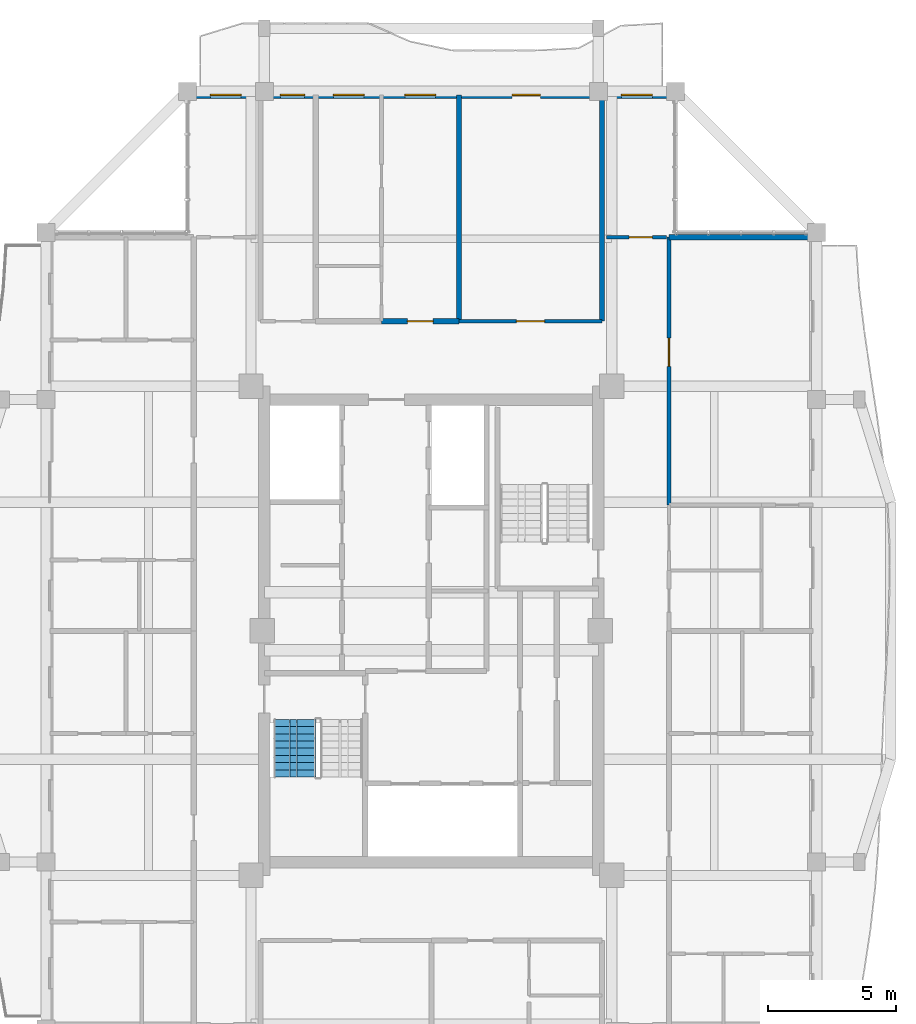
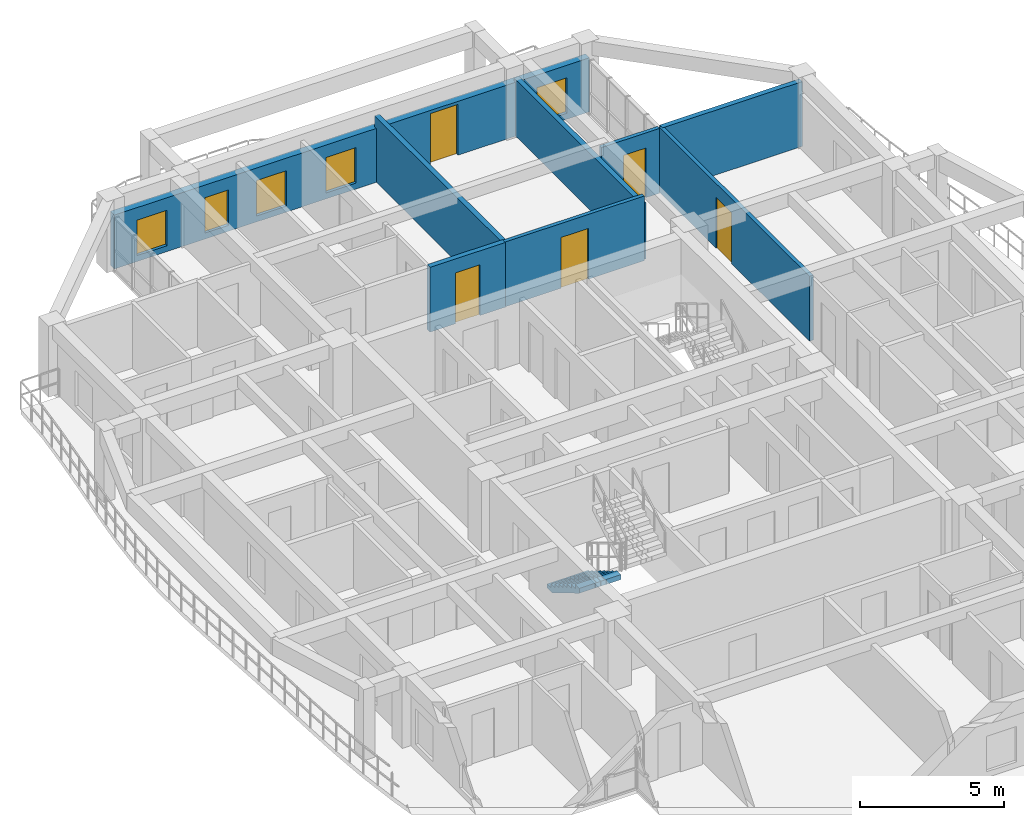
# One storey, part 18 of 24: 8 walls, 5 doors, 5 windows, 1 stair flight, 10 openings, 1 element without a shape of its own.
"""IFC4 building model written with IfcOpenShell, lengths in metres."""

from ifc_helpers import new_model, si_unit, direction, frame, frame_2d, origin, place, context, subcontext, project, spatial, polyline, rectangle, outline, extrude, source, transform, mapped, material, layer, layer_set, type_object, element, fill, aggregate, save


model = new_model("IFC4")

# Units and contexts
model_context = context("Model", 3, precision=1e-05, world=origin(), true_north=direction((0.0, 1.0)))
body_context = subcontext(model_context, "Body", "Model", "MODEL_VIEW")
ifc_project = project(units=[si_unit("LENGTHUNIT", "METRE"), si_unit("AREAUNIT", "SQUARE_METRE"), si_unit("VOLUMEUNIT", "CUBIC_METRE"), si_unit("PLANEANGLEUNIT", "RADIAN"), si_unit("MASSUNIT", "GRAM", prefix="KILO")], contexts=[model_context])

# Site, building, storey
site_placement = place(None, origin())
site = spatial("IfcSite", under=ifc_project, at=site_placement, CompositionType="ELEMENT")
building_placement = place(site_placement, origin())
building = spatial("IfcBuilding", under=site, at=building_placement, Name="Saelheon Loggia Tower", CompositionType="ELEMENT")
storey_placement = place(building_placement, frame((0.0, 0.0, 246.0)))
storey = spatial("IfcBuildingStorey", under=building, at=storey_placement, Name="L76", CompositionType="ELEMENT", Elevation=246.0)

# Wall, openings, windows, door
ifc_material_1 = material(Name="Architectural Precast Concrete C40/50", Category="concrete")
ifc_layer_1 = layer(ifc_material_1, 0.280029296875)
ifc_layer_set_1 = layer_set([ifc_layer_1], Name="Architectural Precast Concrete C40/50")
wall_type_1 = type_object("IfcWallType", Name="Wall_Ext_Loggia_280", PredefinedType="SOLIDWALL", material=ifc_layer_set_1)
wall_1_placement = place(storey_placement, frame((28.5, 47.860107421875, 0.0), z_axis=(0.0, 0.0, 1.0), x_axis=(1.0, 0.0, 0.0)))
wall_1 = element("IfcWall", 1, at=wall_1_placement, inside=storey, type_object=wall_type_1, Name="L76 North Loggia Inner Wall", PredefinedType="SOLIDWALL", context=body_context, shape_type="SweptSolid", body=[
    extrude(rectangle(XDim=19.0, YDim=0.280029296875, at=frame_2d((9.5, 0.0))), origin(), (0.0, 0.0, 1.0), 2.280029296875),
])
opening_1_placement = place(wall_1_placement, frame((0.89990234375, 0.0, 0.25)))
opening_1 = element("IfcOpeningElement", 2, at=opening_1_placement, cuts=wall_1, Name="Opening WN-03", PredefinedType="OPENING", context=body_context, shape_type="SweptSolid", body=[
    extrude(rectangle(XDim=1.199951171875, YDim=1.5, at=frame_2d((0.60009765625, 0.75))), frame((0.0, 0.152099609375, 0.0), z_axis=(0.0, -1.0, 0.0), x_axis=(1.0, 0.0, 0.0)), (0.0, 0.0, 1.0), 0.303955078125),
])
opening_2_placement = place(wall_1_placement, frame((3.6201171875, 0.0, 0.25)))
opening_2 = element("IfcOpeningElement", 3, at=opening_2_placement, cuts=wall_1, Name="Opening WN-04", PredefinedType="OPENING", context=body_context, shape_type="SweptSolid", body=[
    extrude(rectangle(XDim=0.949951171875, YDim=1.5, at=frame_2d((0.47509765625, 0.75))), frame((0.0, 0.152099609375, 0.0), z_axis=(0.0, -1.0, 0.0), x_axis=(1.0, 0.0, 0.0)), (0.0, 0.0, 1.0), 0.303955078125),
])
opening_3_placement = place(wall_1_placement, frame((5.682373046875, 0.0, 0.25)))
opening_3 = element("IfcOpeningElement", 4, at=opening_3_placement, cuts=wall_1, Name="Opening WN-03", PredefinedType="OPENING", context=body_context, shape_type="SweptSolid", body=[
    extrude(rectangle(XDim=1.199951171875, YDim=1.5, at=frame_2d((0.60009765625, 0.75))), frame((0.0, 0.152099609375, 0.0), z_axis=(0.0, -1.0, 0.0), x_axis=(1.0, 0.0, 0.0)), (0.0, 0.0, 1.0), 0.303955078125),
])
opening_4_placement = place(wall_1_placement, frame((8.4697265625, 0.0, 0.25)))
opening_4 = element("IfcOpeningElement", 5, at=opening_4_placement, cuts=wall_1, Name="Opening WN-03", PredefinedType="OPENING", context=body_context, shape_type="SweptSolid", body=[
    extrude(rectangle(XDim=1.199951171875, YDim=1.5, at=frame_2d((0.60009765625, 0.75))), frame((0.0, 0.152099609375, 0.0), z_axis=(0.0, -1.0, 0.0), x_axis=(1.0, 0.0, 0.0)), (0.0, 0.0, 1.0), 0.303955078125),
])
opening_5_placement = place(wall_1_placement, frame((12.642578125, 0.0, 0.0)))
opening_5 = element("IfcOpeningElement", 6, at=opening_5_placement, cuts=wall_1, Name="Opening TD1", PredefinedType="OPENING", context=body_context, shape_type="SweptSolid", body=[
    extrude(rectangle(XDim=1.10009765625, YDim=2.14990234375, at=frame_2d((0.550048828125, 1.074951171875))), frame((0.0, 0.152099609375, 0.0), z_axis=(0.0, -1.0, 0.0), x_axis=(1.0, 0.0, 0.0)), (0.0, 0.0, 1.0), 0.303955078125),
])
opening_6_placement = place(wall_1_placement, frame((16.89990234375, 0.0, 0.25)))
opening_6 = element("IfcOpeningElement", 7, at=opening_6_placement, cuts=wall_1, Name="Opening WN-03", PredefinedType="OPENING", context=body_context, shape_type="SweptSolid", body=[
    extrude(rectangle(XDim=1.199951171875, YDim=1.5, at=frame_2d((0.60009765625, 0.75))), frame((0.0, 0.152099609375, 0.0), z_axis=(0.0, -1.0, 0.0), x_axis=(1.0, 0.0, 0.0)), (0.0, 0.0, 1.0), 0.303955078125),
])
ifc_material_2 = material(Name="Thermal-Break Aluminium and Triple Low-E Glass", Category="aluminium")
window_type_1 = type_object("IfcWindowType", Name="Win_Bedroom_1200x1500", PartitioningType="SINGLE_PANEL", PredefinedType="WINDOW", material=ifc_material_2)
shared_shape_1 = source(origin(), body_context, "Body", "SweptSolid", [
    extrude(rectangle(XDim=1.199951171875, YDim=1.5, at=frame_2d((0.60009765625, 0.75))), frame((0.0, 0.030029296875, 0.0), z_axis=(0.0, -1.0, 0.0), x_axis=(1.0, 0.0, 0.0)), (0.0, 0.0, 1.0), 0.06005859375),
])
window_1_placement = place(opening_1_placement, origin())
window_1 = element("IfcWindow", 8, at=window_1_placement, inside=storey, type_object=window_type_1, Name="L76 N Dwelling Window 1", OverallHeight=1.5, OverallWidth=1.199951171875, PartitioningType="SINGLE_PANEL", PredefinedType="WINDOW", context=body_context, shape_type="MappedRepresentation", body=[
    mapped(shared_shape_1, transform((0.0, 0.0, 0.0), scale=1.0)),
])
fill(opening_1, window_1)
window_2_placement = place(opening_3_placement, origin())
window_2 = element("IfcWindow", 9, at=window_2_placement, inside=storey, type_object=window_type_1, Name="L76 N Dwelling Window 3", OverallHeight=1.5, OverallWidth=1.199951171875, PartitioningType="SINGLE_PANEL", PredefinedType="WINDOW", context=body_context, shape_type="MappedRepresentation", body=[
    mapped(shared_shape_1, transform((0.0, 0.0, 0.0), scale=1.0)),
])
fill(opening_3, window_2)
window_3_placement = place(opening_4_placement, origin())
window_3 = element("IfcWindow", 10, at=window_3_placement, inside=storey, type_object=window_type_1, Name="L76 N Dwelling Window 4", OverallHeight=1.5, OverallWidth=1.199951171875, PartitioningType="SINGLE_PANEL", PredefinedType="WINDOW", context=body_context, shape_type="MappedRepresentation", body=[
    mapped(shared_shape_1, transform((0.0, 0.0, 0.0), scale=1.0)),
])
fill(opening_4, window_3)
window_4_placement = place(opening_6_placement, origin())
window_4 = element("IfcWindow", 11, at=window_4_placement, inside=storey, type_object=window_type_1, Name="L76 N Dwelling Window 6", OverallHeight=1.5, OverallWidth=1.199951171875, PartitioningType="SINGLE_PANEL", PredefinedType="WINDOW", context=body_context, shape_type="MappedRepresentation", body=[
    mapped(shared_shape_1, transform((0.0, 0.0, 0.0), scale=1.0)),
])
fill(opening_6, window_4)
ifc_material_3 = material(Name="Thermal-Break Aluminium Glazed Door", Category="aluminium")
door_type_1 = type_object("IfcDoorType", Name="Door_Terrace_TD1", OperationType="NOTDEFINED", PredefinedType="DOOR", material=ifc_material_3)
shared_shape_2 = source(origin(), body_context, "Body", "SweptSolid", [
    extrude(rectangle(XDim=1.10009765625, YDim=2.14990234375, at=frame_2d((0.550048828125, 1.074951171875))), frame((0.0, 0.02490234375, 0.0), z_axis=(0.0, -1.0, 0.0), x_axis=(1.0, 0.0, 0.0)), (0.0, 0.0, 1.0), 0.050048828125),
])
door_1_placement = place(opening_5_placement, origin())
door_1 = element("IfcDoor", 12, at=door_1_placement, inside=storey, type_object=door_type_1, Name="L76 N Loggia Access Door", OperationType="SINGLE_SWING_LEFT", OverallHeight=2.14990234375, OverallWidth=1.10009765625, PredefinedType="DOOR", context=body_context, shape_type="MappedRepresentation", body=[
    mapped(shared_shape_2, transform((0.0, 0.0, 0.0), scale=1.0)),
])
fill(opening_5, door_1)
window_type_2 = type_object("IfcWindowType", Name="Win_Narrow_950x1500", PartitioningType="SINGLE_PANEL", PredefinedType="WINDOW", material=ifc_material_2)
shared_shape_3 = source(origin(), body_context, "Body", "SweptSolid", [
    extrude(rectangle(XDim=0.949951171875, YDim=1.5, at=frame_2d((0.47509765625, 0.75))), frame((0.0, 0.030029296875, 0.0), z_axis=(0.0, -1.0, 0.0), x_axis=(1.0, 0.0, 0.0)), (0.0, 0.0, 1.0), 0.06005859375),
])
window_5_placement = place(opening_2_placement, origin())
window_5 = element("IfcWindow", 13, at=window_5_placement, inside=storey, type_object=window_type_2, Name="L76 N Dwelling Window 2", OverallHeight=1.5, OverallWidth=0.949951171875, PartitioningType="SINGLE_PANEL", PredefinedType="WINDOW", context=body_context, shape_type="MappedRepresentation", body=[
    mapped(shared_shape_3, transform((0.0, 0.0, 0.0), scale=1.0)),
])
fill(opening_2, window_5)

# Wall, opening, door
ifc_material_4 = material(Name="Lightweight Autoclaved Aerated Concrete Block and Acoustic Gypsum", Category="concrete")
ifc_layer_2 = layer(ifc_material_4, 0.14990234375)
ifc_layer_set_2 = layer_set([ifc_layer_2], Name="Lightweight Autoclaved Aerated Concrete Block and Acoustic Gypsum")
wall_type_2 = type_object("IfcWallType", Name="Wall_Part_150", PredefinedType="PARTITIONING", material=ifc_layer_set_2)
wall_2_placement = place(storey_placement, frame((44.820068359375, 42.320068359375, 0.0), z_axis=(0.0, 0.0, 1.0), x_axis=(1.0, 0.0, 0.0)))
wall_2 = element("IfcWall", 14, at=wall_2_placement, inside=storey, type_object=wall_type_2, Name="PW-L76-CNE-H", PredefinedType="PARTITIONING", context=body_context, shape_type="SweptSolid", body=[
    extrude(rectangle(XDim=2.329833984375, YDim=0.14990234375, at=frame_2d((1.1650390625, 0.0))), origin(), (0.0, 0.0, 1.0), 2.739990234375),
])
opening_7_placement = place(wall_2_placement, frame((0.8798828125, 0.0, 0.0)))
opening_7 = element("IfcOpeningElement", 15, at=opening_7_placement, cuts=wall_2, Name="Opening D-IN2", PredefinedType="OPENING", context=body_context, shape_type="SweptSolid", body=[
    extrude(rectangle(XDim=0.89990234375, YDim=2.10009765625, at=frame_2d((0.449951171875, 1.050048828125))), frame((0.0, 0.0869140625, 0.0), z_axis=(0.0, -1.0, 0.0), x_axis=(1.0, 0.0, 0.0)), (0.0, 0.0, 1.0), 0.173828125),
])
ifc_material_5 = material(Name="Engineered Oak Flush Door", Category="timber")
door_type_2 = type_object("IfcDoorType", Name="Door_Int_900", OperationType="NOTDEFINED", PredefinedType="DOOR", material=ifc_material_5)
shared_shape_4 = source(origin(), body_context, "Body", "SweptSolid", [
    extrude(rectangle(XDim=0.89990234375, YDim=2.10009765625, at=frame_2d((0.449951171875, 1.050048828125))), frame((0.0, 0.02490234375, 0.0), z_axis=(0.0, -1.0, 0.0), x_axis=(1.0, 0.0, 0.0)), (0.0, 0.0, 1.0), 0.050048828125),
])
door_2_placement = place(opening_7_placement, origin())
door_2 = element("IfcDoor", 16, at=door_2_placement, inside=storey, type_object=door_type_2, Name="L76 Corner Reading Room NE Door", OperationType="SINGLE_SWING_RIGHT", OverallHeight=2.10009765625, OverallWidth=0.89990234375, PredefinedType="DOOR", context=body_context, shape_type="MappedRepresentation", body=[
    mapped(shared_shape_4, transform((0.0, 0.0, 0.0), scale=1.0)),
])
fill(opening_7, door_2)

wall_3_placement = place(storey_placement, frame((39.074951171875, 39.050048828125, 0.0), z_axis=(0.0, 0.0, 1.0), x_axis=(1.0, 0.0, 0.0)))
wall_3 = element("IfcWall", 17, at=wall_3_placement, inside=storey, type_object=wall_type_2, Name="L76 N Partition V12", PredefinedType="PARTITIONING", context=body_context, shape_type="SweptSolid", body=[
    extrude(rectangle(XDim=5.574951171875, YDim=0.14990234375, at=frame_2d((2.78759765625, 0.0))), origin(), (0.0, 0.0, 1.0), 2.739990234375),
])
opening_8_placement = place(wall_3_placement, frame((2.237548828125, 0.0, 0.0)))
opening_8 = element("IfcOpeningElement", 18, at=opening_8_placement, cuts=wall_3, Name="Opening D-FD2", PredefinedType="OPENING", context=body_context, shape_type="SweptSolid", body=[
    extrude(rectangle(XDim=1.10009765625, YDim=2.14990234375, at=frame_2d((0.550048828125, 1.074951171875))), frame((0.0, 0.0869140625, 0.0), z_axis=(0.0, -1.0, 0.0), x_axis=(1.0, 0.0, 0.0)), (0.0, 0.0, 1.0), 0.173828125),
])
ifc_material_6 = material(Name="Galvanised Steel Fire Door", Category="steel")
door_type_3 = type_object("IfcDoorType", Name="Door_Fire_FD60_1100", OperationType="NOTDEFINED", PredefinedType="DOOR", material=ifc_material_6)
door_3_placement = place(opening_8_placement, origin())
door_3 = element("IfcDoor", 19, at=door_3_placement, inside=storey, type_object=door_type_3, Name="L76 Resident Seminar and Study Hall Door A", OperationType="SINGLE_SWING_LEFT", OverallHeight=2.14990234375, OverallWidth=1.10009765625, PredefinedType="DOOR", context=body_context, shape_type="MappedRepresentation", body=[
    mapped(shared_shape_2, transform((0.0, 0.0, 0.0), scale=1.0)),
])
fill(opening_8, door_3)

wall_4_placement = place(storey_placement, frame((47.25, 31.89990234375, 0.0), z_axis=(0.0, 0.0, 1.0), x_axis=(0.0, 1.0, 0.0)))
wall_4 = element("IfcWall", 20, at=wall_4_placement, inside=storey, type_object=wall_type_2, Name="L76 E Partition V20", PredefinedType="PARTITIONING", context=body_context, shape_type="SweptSolid", body=[
    extrude(rectangle(XDim=10.420166015625, YDim=0.14990234375, at=frame_2d((5.2099609375, 0.0))), origin(), (0.0, 0.0, 1.0), 2.739990234375),
])
opening_9_placement = place(wall_4_placement, frame((5.393310546875, 0.0, 0.0)))
opening_9 = element("IfcOpeningElement", 21, at=opening_9_placement, cuts=wall_4, Name="Opening D-FD2", PredefinedType="OPENING", context=body_context, shape_type="SweptSolid", body=[
    extrude(rectangle(XDim=1.10009765625, YDim=2.14990234375, at=frame_2d((0.550048828125, 1.074951171875))), frame((0.0, 0.0869140625, 0.0), z_axis=(0.0, -1.0, 0.0), x_axis=(1.0, 0.0, 0.0)), (0.0, 0.0, 1.0), 0.173828125),
])
door_4_placement = place(opening_9_placement, origin())
door_4 = element("IfcDoor", 22, at=door_4_placement, inside=storey, type_object=door_type_3, Name="L76 Community Wellness Activity Hall Door A", OperationType="SINGLE_SWING_RIGHT", OverallHeight=2.14990234375, OverallWidth=1.10009765625, PredefinedType="DOOR", context=body_context, shape_type="MappedRepresentation", body=[
    mapped(shared_shape_2, transform((0.0, 0.0, 0.0), scale=1.0)),
])
fill(opening_9, door_4)

# Wall
ifc_material_7 = material(Name="Double Acoustic Stud and Fireboard Partition", Category="gypsum")
ifc_layer_3 = layer(ifc_material_7, 0.199951171875)
ifc_layer_set_3 = layer_set([ifc_layer_3], Name="Double Acoustic Stud and Fireboard Partition")
wall_type_3 = type_object("IfcWallType", Name="Wall_Party_200", PredefinedType="PARTITIONING", material=ifc_layer_set_3)
wall_5_placement = place(storey_placement, frame((44.64990234375, 39.050048828125, 0.0), z_axis=(0.0, 0.0, 1.0), x_axis=(0.0, 1.0, 0.0)))
element("IfcWall", 23, at=wall_5_placement, inside=storey, type_object=wall_type_3, Name="L76 N Partition U02", PredefinedType="PARTITIONING", context=body_context, shape_type="SweptSolid", body=[
    extrude(rectangle(XDim=8.800048828125, YDim=0.199951171875, at=frame_2d((4.39990234375, 0.0))), origin(), (0.0, 0.0, 1.0), 2.389892578125),
])

# Wall, opening, door
wall_6_placement = place(storey_placement, frame((36.064453125, 39.050048828125, 0.0), z_axis=(0.0, 0.0, 1.0), x_axis=(1.0, 0.0, 0.0)))
wall_6 = element("IfcWall", 24, at=wall_6_placement, inside=storey, type_object=wall_type_3, Name="L76 N Partition V06", PredefinedType="PARTITIONING", context=body_context, shape_type="SweptSolid", body=[
    extrude(rectangle(XDim=3.010498046875, YDim=0.199951171875, at=frame_2d((1.50537109375, 0.0))), origin(), (0.0, 0.0, 1.0), 2.739990234375),
])
opening_10_placement = place(wall_6_placement, frame((1.00537109375, 0.0, 0.0)))
opening_10 = element("IfcOpeningElement", 25, at=opening_10_placement, cuts=wall_6, Name="Opening D-FD1", PredefinedType="OPENING", context=body_context, shape_type="SweptSolid", body=[
    extrude(rectangle(XDim=1.0, YDim=2.14990234375, at=frame_2d((0.5, 1.074951171875))), frame((0.0, 0.112060546875, 0.0), z_axis=(0.0, -1.0, 0.0), x_axis=(1.0, 0.0, 0.0)), (0.0, 0.0, 1.0), 0.223876953125),
])
ifc_material_8 = material(Name="Fire-Rated Engineered Timber Entrance Door", Category="wood")
door_type_4 = type_object("IfcDoorType", Name="Door_Flat_FD30S", OperationType="NOTDEFINED", PredefinedType="DOOR", material=ifc_material_8)
shared_shape_5 = source(origin(), body_context, "Body", "SweptSolid", [
    extrude(rectangle(XDim=1.0, YDim=2.14990234375, at=frame_2d((0.5, 1.074951171875))), frame((0.0, 0.02490234375, 0.0), z_axis=(0.0, -1.0, 0.0), x_axis=(1.0, 0.0, 0.0)), (0.0, 0.0, 1.0), 0.050048828125),
])
door_5_placement = place(opening_10_placement, origin())
door_5 = element("IfcDoor", 26, at=door_5_placement, inside=storey, type_object=door_type_4, Name="Unit U02 Entrance Door", OperationType="SINGLE_SWING_RIGHT", OverallHeight=2.14990234375, OverallWidth=1.0, PredefinedType="DOOR", context=body_context, shape_type="MappedRepresentation", body=[
    mapped(shared_shape_5, transform((0.0, 0.0, 0.0), scale=1.0)),
])
fill(opening_10, door_5)

# Walls
wall_7_placement = place(storey_placement, frame((39.074951171875, 39.050048828125, 0.0), z_axis=(0.0, 0.0, 1.0), x_axis=(0.0, 1.0, 0.0)))
element("IfcWall", 27, at=wall_7_placement, inside=storey, type_object=wall_type_3, Name="L76 N Partition U11", PredefinedType="PARTITIONING", context=body_context, shape_type="SweptSolid", body=[
    extrude(rectangle(XDim=8.800048828125, YDim=0.199951171875, at=frame_2d((4.39990234375, 0.0))), origin(), (0.0, 0.0, 1.0), 2.739990234375),
])
wall_8_placement = place(storey_placement, frame((47.25, 42.320068359375, 0.0), z_axis=(0.0, 0.0, 1.0), x_axis=(1.0, 0.0, 0.0)))
element("IfcWall", 28, at=wall_8_placement, inside=storey, type_object=wall_type_3, Name="L76 E Partition U02", PredefinedType="PARTITIONING", context=body_context, shape_type="SweptSolid", body=[
    extrude(rectangle(XDim=5.60009765625, YDim=0.199951171875, at=frame_2d((2.800048828125, 0.0))), origin(), (0.0, 0.0, 1.0), 2.739990234375),
])

# Stair, stair flight
ifc_material_9 = material(Name="Concrete C40/50", Category="concrete")
stair_type = type_object("IfcStairType", Name="Stair_Escape_Core", PredefinedType="HALF_TURN_STAIR", material=ifc_material_9)
stair_placement = place(storey_placement, origin())
stair = element("IfcStair", 29, at=stair_placement, inside=storey, type_object=stair_type, Name="L76 Special Escape Stair ST1", PredefinedType="HALF_TURN_STAIR")
stair_flight_type = type_object("IfcStairFlightType", Name="StairFlight_Tower_1660", PredefinedType="STRAIGHT", material=ifc_material_9)
stair_flight_placement = place(storey_placement, frame((32.679931640625, 23.550048828125, 0.0), z_axis=(0.0, 0.0, 1.0), x_axis=(0.0, -1.0, 0.0)))
stair_flight = element("IfcStairFlight", 30, at=stair_flight_placement, type_object=stair_flight_type, Name="ST1 flight 1", NumberOfRisers=9, NumberOfTreads=8, PredefinedType="STRAIGHT", RiserHeight=0.166666667, TreadLength=0.28, context=body_context, shape_type="SweptSolid", body=[
    extrude(outline(polyline([(0.0, 0.0), (0.0, 0.166748046875), (0.280029296875, 0.166748046875), (0.280029296875, 0.333251953125), (0.56005859375, 0.333251953125), (0.56005859375, 0.5), (0.840087890625, 0.5), (0.840087890625, 0.666748046875), (1.1201171875, 0.666748046875), (1.1201171875, 0.833251953125), (1.39990234375, 0.833251953125), (1.39990234375, 1.0), (1.679931640625, 1.0), (1.679931640625, 1.166748046875), (1.9599609375, 1.166748046875), (1.9599609375, 1.333251953125), (2.239990234375, 1.333251953125), (2.239990234375, 1.5), (2.239990234375, 1.1240234375), (0.351806640625, 0.0), (0.0, 0.0)])), frame((0.0, -0.2490234375, 0.0), z_axis=(0.0, -1.0, 0.0), x_axis=(1.0, 0.0, 0.0)), (0.0, 0.0, 1.0), 0.5810546875),
    extrude(outline(polyline([(0.0, 0.0), (0.0, 0.166748046875), (0.280029296875, 0.166748046875), (0.280029296875, 0.333251953125), (0.56005859375, 0.333251953125), (0.56005859375, 0.5), (0.840087890625, 0.5), (0.840087890625, 0.666748046875), (1.1201171875, 0.666748046875), (1.1201171875, 0.833251953125), (1.39990234375, 0.833251953125), (1.39990234375, 1.0), (1.679931640625, 1.0), (1.679931640625, 1.166748046875), (1.9599609375, 1.166748046875), (1.9599609375, 1.333251953125), (2.239990234375, 1.333251953125), (2.239990234375, 1.5), (2.239990234375, 1.1240234375), (0.351806640625, 0.0), (0.0, 0.0)])), frame((0.0, -0.194091796875, 0.0), z_axis=(0.0, -1.0, 0.0), x_axis=(1.0, 0.0, 0.0)), (0.0, 0.0, 1.0), 0.0498046875),
    extrude(outline(polyline([(0.0, 0.0), (0.0, 0.166748046875), (0.280029296875, 0.166748046875), (0.280029296875, 0.333251953125), (0.56005859375, 0.333251953125), (0.56005859375, 0.5), (0.840087890625, 0.5), (0.840087890625, 0.666748046875), (1.1201171875, 0.666748046875), (1.1201171875, 0.833251953125), (1.39990234375, 0.833251953125), (1.39990234375, 1.0), (1.679931640625, 1.0), (1.679931640625, 1.166748046875), (1.9599609375, 1.166748046875), (1.9599609375, 1.333251953125), (2.239990234375, 1.333251953125), (2.239990234375, 1.5), (2.239990234375, 1.1240234375), (0.351806640625, 0.0), (0.0, 0.0)])), frame((0.0, -0.139404296875, 0.0), z_axis=(0.0, -1.0, 0.0), x_axis=(1.0, 0.0, 0.0)), (0.0, 0.0, 1.0), 0.0498046875),
    extrude(outline(polyline([(0.0, 0.0), (0.0, 0.166748046875), (0.280029296875, 0.166748046875), (0.280029296875, 0.333251953125), (0.56005859375, 0.333251953125), (0.56005859375, 0.5), (0.840087890625, 0.5), (0.840087890625, 0.666748046875), (1.1201171875, 0.666748046875), (1.1201171875, 0.833251953125), (1.39990234375, 0.833251953125), (1.39990234375, 1.0), (1.679931640625, 1.0), (1.679931640625, 1.166748046875), (1.9599609375, 1.166748046875), (1.9599609375, 1.333251953125), (2.239990234375, 1.333251953125), (2.239990234375, 1.5), (2.239990234375, 1.1240234375), (0.351806640625, 0.0), (0.0, 0.0)])), frame((0.0, -0.084716796875, 0.0), z_axis=(0.0, -1.0, 0.0), x_axis=(1.0, 0.0, 0.0)), (0.0, 0.0, 1.0), 0.0498046875),
    extrude(outline(polyline([(0.0, 0.0), (0.0, 0.166748046875), (0.280029296875, 0.166748046875), (0.280029296875, 0.333251953125), (0.56005859375, 0.333251953125), (0.56005859375, 0.5), (0.840087890625, 0.5), (0.840087890625, 0.666748046875), (1.1201171875, 0.666748046875), (1.1201171875, 0.833251953125), (1.39990234375, 0.833251953125), (1.39990234375, 1.0), (1.679931640625, 1.0), (1.679931640625, 1.166748046875), (1.9599609375, 1.166748046875), (1.9599609375, 1.333251953125), (2.239990234375, 1.333251953125), (2.239990234375, 1.5), (2.239990234375, 1.1240234375), (0.351806640625, 0.0), (0.0, 0.0)])), frame((0.0, -0.02978515625, 0.0), z_axis=(0.0, -1.0, 0.0), x_axis=(1.0, 0.0, 0.0)), (0.0, 0.0, 1.0), 0.0498046875),
    extrude(outline(polyline([(0.0, 0.0), (0.0, 0.166748046875), (0.280029296875, 0.166748046875), (0.280029296875, 0.333251953125), (0.56005859375, 0.333251953125), (0.56005859375, 0.5), (0.840087890625, 0.5), (0.840087890625, 0.666748046875), (1.1201171875, 0.666748046875), (1.1201171875, 0.833251953125), (1.39990234375, 0.833251953125), (1.39990234375, 1.0), (1.679931640625, 1.0), (1.679931640625, 1.166748046875), (1.9599609375, 1.166748046875), (1.9599609375, 1.333251953125), (2.239990234375, 1.333251953125), (2.239990234375, 1.5), (2.239990234375, 1.1240234375), (0.351806640625, 0.0), (0.0, 0.0)])), frame((0.0, 0.02490234375, 0.0), z_axis=(0.0, -1.0, 0.0), x_axis=(1.0, 0.0, 0.0)), (0.0, 0.0, 1.0), 0.0498046875),
    extrude(outline(polyline([(0.0, 0.0), (0.0, 0.166748046875), (0.280029296875, 0.166748046875), (0.280029296875, 0.333251953125), (0.56005859375, 0.333251953125), (0.56005859375, 0.5), (0.840087890625, 0.5), (0.840087890625, 0.666748046875), (1.1201171875, 0.666748046875), (1.1201171875, 0.833251953125), (1.39990234375, 0.833251953125), (1.39990234375, 1.0), (1.679931640625, 1.0), (1.679931640625, 1.166748046875), (1.9599609375, 1.166748046875), (1.9599609375, 1.333251953125), (2.239990234375, 1.333251953125), (2.239990234375, 1.5), (2.239990234375, 1.1240234375), (0.351806640625, 0.0), (0.0, 0.0)])), frame((0.0, 0.07958984375, 0.0), z_axis=(0.0, -1.0, 0.0), x_axis=(1.0, 0.0, 0.0)), (0.0, 0.0, 1.0), 0.0498046875),
    extrude(outline(polyline([(0.0, 0.0), (0.0, 0.166748046875), (0.280029296875, 0.166748046875), (0.280029296875, 0.333251953125), (0.56005859375, 0.333251953125), (0.56005859375, 0.5), (0.840087890625, 0.5), (0.840087890625, 0.666748046875), (1.1201171875, 0.666748046875), (1.1201171875, 0.833251953125), (1.39990234375, 0.833251953125), (1.39990234375, 1.0), (1.679931640625, 1.0), (1.679931640625, 1.166748046875), (1.9599609375, 1.166748046875), (1.9599609375, 1.333251953125), (2.239990234375, 1.333251953125), (2.239990234375, 1.5), (2.239990234375, 1.1240234375), (0.351806640625, 0.0), (0.0, 0.0)])), frame((0.0, 0.134521484375, 0.0), z_axis=(0.0, -1.0, 0.0), x_axis=(1.0, 0.0, 0.0)), (0.0, 0.0, 1.0), 0.0498046875),
    extrude(outline(polyline([(0.0, 0.0), (0.0, 0.166748046875), (0.280029296875, 0.166748046875), (0.280029296875, 0.333251953125), (0.56005859375, 0.333251953125), (0.56005859375, 0.5), (0.840087890625, 0.5), (0.840087890625, 0.666748046875), (1.1201171875, 0.666748046875), (1.1201171875, 0.833251953125), (1.39990234375, 0.833251953125), (1.39990234375, 1.0), (1.679931640625, 1.0), (1.679931640625, 1.166748046875), (1.9599609375, 1.166748046875), (1.9599609375, 1.333251953125), (2.239990234375, 1.333251953125), (2.239990234375, 1.5), (2.239990234375, 1.1240234375), (0.351806640625, 0.0), (0.0, 0.0)])), frame((0.0, 0.189208984375, 0.0), z_axis=(0.0, -1.0, 0.0), x_axis=(1.0, 0.0, 0.0)), (0.0, 0.0, 1.0), 0.0498046875),
    extrude(outline(polyline([(0.0, 0.0), (0.0, 0.166748046875), (0.280029296875, 0.166748046875), (0.280029296875, 0.333251953125), (0.56005859375, 0.333251953125), (0.56005859375, 0.5), (0.840087890625, 0.5), (0.840087890625, 0.666748046875), (1.1201171875, 0.666748046875), (1.1201171875, 0.833251953125), (1.39990234375, 0.833251953125), (1.39990234375, 1.0), (1.679931640625, 1.0), (1.679931640625, 1.166748046875), (1.9599609375, 1.166748046875), (1.9599609375, 1.333251953125), (2.239990234375, 1.333251953125), (2.239990234375, 1.5), (2.239990234375, 1.1240234375), (0.351806640625, 0.0), (0.0, 0.0)])), frame((0.0, 0.243896484375, 0.0), z_axis=(0.0, -1.0, 0.0), x_axis=(1.0, 0.0, 0.0)), (0.0, 0.0, 1.0), 0.0498046875),
    extrude(outline(polyline([(0.0, 0.0), (0.0, 0.166748046875), (0.280029296875, 0.166748046875), (0.280029296875, 0.333251953125), (0.56005859375, 0.333251953125), (0.56005859375, 0.5), (0.840087890625, 0.5), (0.840087890625, 0.666748046875), (1.1201171875, 0.666748046875), (1.1201171875, 0.833251953125), (1.39990234375, 0.833251953125), (1.39990234375, 1.0), (1.679931640625, 1.0), (1.679931640625, 1.166748046875), (1.9599609375, 1.166748046875), (1.9599609375, 1.333251953125), (2.239990234375, 1.333251953125), (2.239990234375, 1.5), (2.239990234375, 1.1240234375), (0.351806640625, 0.0), (0.0, 0.0)])), frame((0.0, 0.830078125, 0.0), z_axis=(0.0, -1.0, 0.0), x_axis=(1.0, 0.0, 0.0)), (0.0, 0.0, 1.0), 0.5810546875),
])
aggregate(stair, [stair_flight])

save(model, "model.ifc")
